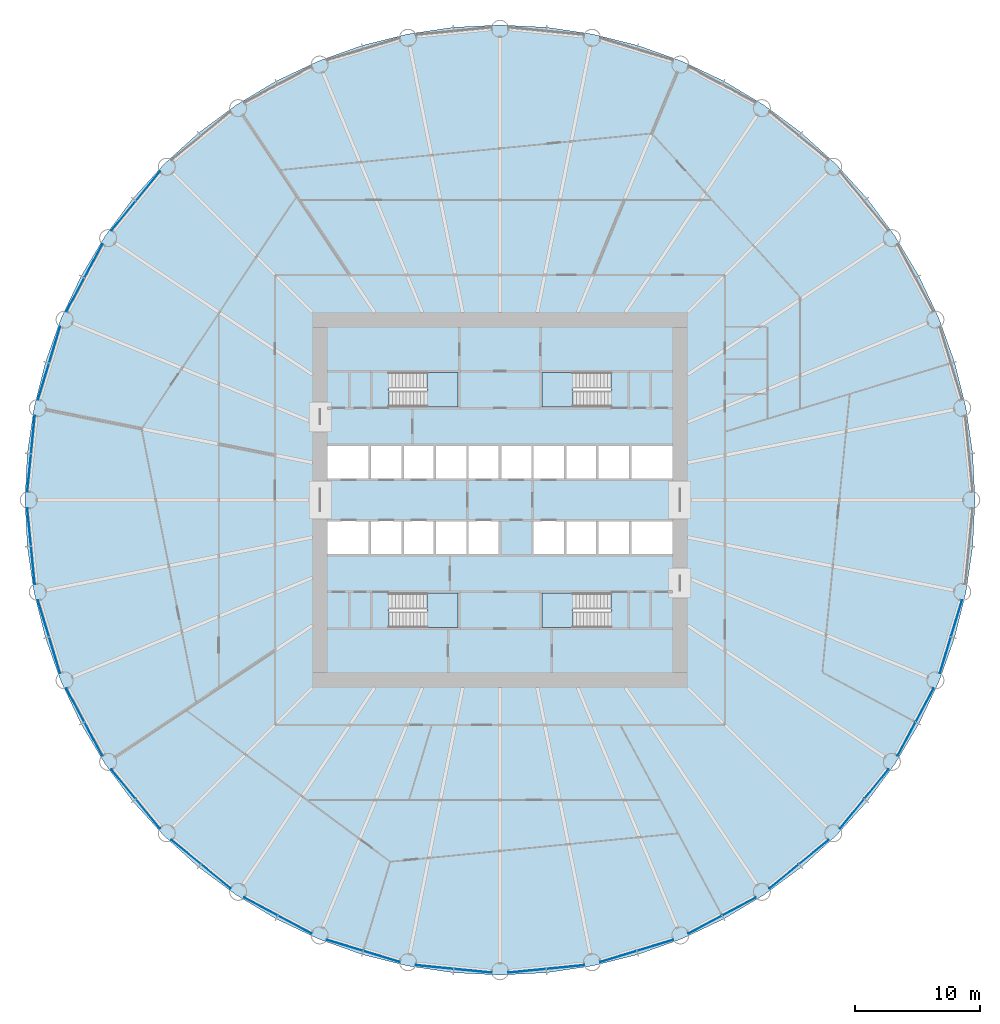
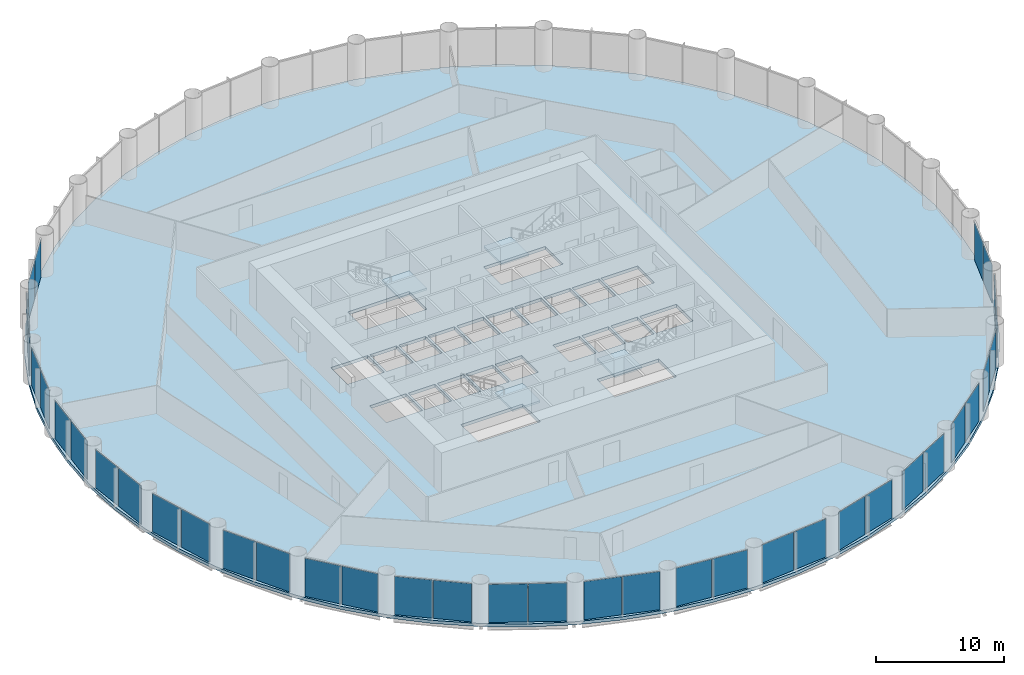
# One storey, part 8 of 14: 38 plates, 5 slabs, 23 elements without a shape of their own.
"""IFC4 building model written with IfcOpenShell, lengths in metres."""

import ifcopenshell
import ifcopenshell.guid

model = None  # the IFC model being written
_history = None  # IfcOwnerHistory: only IFC2X3 demands one
_inside = {}  # id of a spatial element -> (the spatial element, [elements in it])
_under = {}  # id of a project, library or spatial element -> (it, [spatial elements below it])
_declared = {}  # id of a project -> (the project, [libraries it declares])
_typed = {}  # id of a type object -> (the type object, [elements of that type])
_made_of = {}  # id of a material, layer set ... -> (it, [elements and type objects made of it])


def new_model(schema):
    """Start an empty IFC model of exactly this schema.

    Asked for "IFC4X3", IfcOpenShell would pick the latest addendum, in which some entities
    have other attributes; the version numbers below select the first issue.
    IFC2X3 requires an IfcOwnerHistory on every rooted entity: one is made here for all.
    """
    global model, _history
    if schema == "IFC4X3":
        model = ifcopenshell.file(schema_version=(4, 3, 0, 0))
    else:
        model = ifcopenshell.file(schema=schema)
    _inside.clear()
    _under.clear()
    _declared.clear()
    _typed.clear()
    _made_of.clear()
    _history = None
    if model.schema == "IFC2X3":
        org = make("IfcOrganization", Name="unknown")
        user = make(
            "IfcPersonAndOrganization",
            ThePerson=make("IfcPerson", FamilyName="unknown"),
            TheOrganization=org,
        )
        app = make(
            "IfcApplication",
            ApplicationDeveloper=org,
            Version="unknown",
            ApplicationFullName="unknown",
            ApplicationIdentifier="unknown",
        )
        _history = make(
            "IfcOwnerHistory",
            OwningUser=user,
            OwningApplication=app,
            ChangeAction="ADDED",
            CreationDate=0,
        )
    return model


def make(cls, **values):
    """One entity of the class cls with the attributes given. An attribute that is None is left unset."""
    return model.create_entity(
        cls, **{name: value for name, value in values.items() if value is not None}
    )


def rooted(cls, **values):
    """An entity with a GlobalId (a new one), such as an element, a storey or a relation."""
    return make(cls, GlobalId=ifcopenshell.guid.new(), OwnerHistory=_history, **values)


def si_unit(unit_type, name, prefix=None):
    """IfcSIUnit, for example si_unit("LENGTHUNIT", "METRE", prefix="MILLI")."""
    return make("IfcSIUnit", UnitType=unit_type, Prefix=prefix, Name=name)


def assignment(units):
    """IfcUnitAssignment: the units of a project."""
    return None if units is None else make("IfcUnitAssignment", Units=units)


def point(xyz):
    """IfcCartesianPoint."""
    return None if xyz is None else make("IfcCartesianPoint", Coordinates=xyz)


def direction(xyz):
    """IfcDirection."""
    return None if xyz is None else make("IfcDirection", DirectionRatios=xyz)


def frame(location, z_axis=None, x_axis=None):
    """IfcAxis2Placement3D, a coordinate frame: its origin and axes. An axis left out is left unset."""
    return make(
        "IfcAxis2Placement3D",
        Location=point(location),
        Axis=direction(z_axis),
        RefDirection=direction(x_axis),
    )


def frame_2d(location, x_axis=None):
    """IfcAxis2Placement2D, a coordinate frame in the plane: its origin and x axis."""
    return make(
        "IfcAxis2Placement2D", Location=point(location), RefDirection=direction(x_axis)
    )


def origin():
    """The frame at (0, 0, 0) with its axes left unset."""
    return frame((0.0, 0.0, 0.0))


def origin_2d():
    """The frame at (0, 0) in the plane with its x axis left unset."""
    return frame_2d((0.0, 0.0))


def place(relative_to, where):
    """IfcLocalPlacement: puts the frame where relative to a parent placement (None: the world)."""
    return make(
        "IfcLocalPlacement", PlacementRelTo=relative_to, RelativePlacement=where
    )


def context(
    kind, dimensions, precision=None, world=None, true_north=None, identifier=None
):
    """IfcGeometricRepresentationContext, for example the 3D "Model" context."""
    return make(
        "IfcGeometricRepresentationContext",
        ContextIdentifier=identifier,
        ContextType=kind,
        CoordinateSpaceDimension=dimensions,
        Precision=precision,
        WorldCoordinateSystem=world,
        TrueNorth=true_north,
    )


def subcontext(parent, identifier, kind, view, scale=None):
    """IfcGeometricRepresentationSubContext, for example "Body" below "Model"."""
    return make(
        "IfcGeometricRepresentationSubContext",
        ContextIdentifier=identifier,
        ContextType=kind,
        ParentContext=parent,
        TargetScale=scale,
        TargetView=view,
    )


def project(units=None, contexts=None):
    """IfcProject with its units and contexts."""
    return rooted(
        "IfcProject",
        Name="project",
        RepresentationContexts=contexts,
        UnitsInContext=assignment(units),
    )


def spatial(cls, under=None, at=None, **own):
    """A site, building, storey or space (cls), placed at a placement, below another one or the project."""
    s = rooted(cls, ObjectPlacement=at, **own)
    if under is not None:
        _under.setdefault(under.id(), (under, []))[1].append(s)
    return s


def polyline(points):
    """IfcPolyline through the points."""
    return make("IfcPolyline", Points=[point(p) for p in points])


def profile(cls, at=None, kind="AREA", **sizes):
    """A parametric profile (cls). Its sizes go by their IFC names, for example OverallWidth=200.0."""
    return make(cls, ProfileType=kind, Position=at, **sizes)


def rectangle(**sizes):
    """IfcRectangleProfileDef."""
    return profile("IfcRectangleProfileDef", **sizes)


def outline(outer, holes=None, kind="AREA"):
    """IfcArbitraryClosedProfileDef: a profile drawn as a closed curve; with holes, ...WithVoids."""
    if holes is None:
        return make("IfcArbitraryClosedProfileDef", ProfileType=kind, OuterCurve=outer)
    return make(
        "IfcArbitraryProfileDefWithVoids",
        ProfileType=kind,
        OuterCurve=outer,
        InnerCurves=holes,
    )


def extrude(swept, where, along, depth):
    """IfcExtrudedAreaSolid: the profile swept, set in the frame where, extruded along a direction by depth."""
    return make(
        "IfcExtrudedAreaSolid",
        SweptArea=swept,
        Position=where,
        ExtrudedDirection=direction(along),
        Depth=depth,
    )


def shape(context_of_items, identifier, shape_type, items):
    """IfcShapeRepresentation: the items that make up one representation, for example the "Body"."""
    return make(
        "IfcShapeRepresentation",
        ContextOfItems=context_of_items,
        RepresentationIdentifier=identifier,
        RepresentationType=shape_type,
        Items=items,
    )


def material(Name=None, Category=None):
    """IfcMaterial."""
    return make("IfcMaterial", Name=Name, Category=Category)


def layer(
    of_material, thickness, ventilated=None, Name=None, Category=None, Priority=None
):
    """IfcMaterialLayer: one layer of a wall or slab, of a material (None: an air gap)."""
    return make(
        "IfcMaterialLayer",
        Material=of_material,
        LayerThickness=thickness,
        IsVentilated=ventilated,
        Name=Name,
        Category=Category,
        Priority=Priority,
    )


def layer_set(layers, Name=None):
    """IfcMaterialLayerSet."""
    return make("IfcMaterialLayerSet", MaterialLayers=layers, LayerSetName=Name)


def made_of(thing, what):
    """Note that an element or type object is made of a material, layer set ...; save() writes the relation."""
    if what is not None:
        _made_of.setdefault(what.id(), (what, []))[1].append(thing)
    return thing


def type_object(cls, material=None, **own):
    """A type object (cls), such as IfcWallType, which elements share."""
    return made_of(rooted(cls, **own), material)


def element(
    cls,
    number,
    at=None,
    inside=None,
    cuts=None,
    type_object=None,
    material=None,
    context=None,
    identifier="Body",
    shape_type=None,
    held_by="IfcProductDefinitionShape",
    body=None,
    shapes=None,
    **own,
):
    """One element of the class cls, such as IfcWall. Its Tag is "e" and its number.

    at: its placement. inside: the storey or other place that contains it. cuts: it is an
    opening in that element (IfcRelVoidsElement). A single representation is given by context,
    identifier, shape_type and body (its items); several are given by shapes. held_by: the class
    of the entity that holds the representations. save() writes the other relations.
    """
    e = rooted(cls, Tag="e%d" % number, ObjectPlacement=at, **own)
    if body is not None:
        shapes = [shape(context, identifier, shape_type, body)]
    if shapes is not None:
        e.Representation = make(held_by, Representations=shapes)
    if inside is not None:
        _inside.setdefault(inside.id(), (inside, []))[1].append(e)
    if cuts is not None:
        rooted(
            "IfcRelVoidsElement", RelatingBuildingElement=cuts, RelatedOpeningElement=e
        )
    if type_object is not None:
        _typed.setdefault(type_object.id(), (type_object, []))[1].append(e)
    return made_of(e, material)


def aggregate(whole, parts):
    """IfcRelAggregates: a whole, such as a stair, and the parts it consists of."""
    return rooted("IfcRelAggregates", RelatingObject=whole, RelatedObjects=parts)


def save(model, path):
    """Write the relations noted so far, then the file.

    IfcRelAggregates (storeys below a building ...), IfcRelContainedInSpatialStructure (elements
    in a storey), IfcRelDefinesByType, IfcRelAssociatesMaterial and IfcRelDeclares: one each for
    every whole, place, type object, material and project.
    """
    for whole, parts in _under.values():
        aggregate(whole, parts)
    for where, things in _inside.values():
        rooted(
            "IfcRelContainedInSpatialStructure",
            RelatedElements=things,
            RelatingStructure=where,
        )
    for kind, things in _typed.values():
        rooted("IfcRelDefinesByType", RelatedObjects=things, RelatingType=kind)
    for what, things in _made_of.values():
        rooted("IfcRelAssociatesMaterial", RelatedObjects=things, RelatingMaterial=what)
    for by, libraries in _declared.values():
        rooted("IfcRelDeclares", RelatingContext=by, RelatedDefinitions=libraries)
    model.write(path)


model = new_model("IFC4")

# Units and contexts
model_context = context("Model", 3, precision=1e-05, world=origin(), true_north=direction((0.0, 1.0)))
body_context = subcontext(model_context, "Body", "Model", "MODEL_VIEW")
ifc_project = project(units=[si_unit("LENGTHUNIT", "METRE"), si_unit("AREAUNIT", "SQUARE_METRE"), si_unit("VOLUMEUNIT", "CUBIC_METRE"), si_unit("PLANEANGLEUNIT", "RADIAN"), si_unit("MASSUNIT", "GRAM", prefix="KILO")], contexts=[model_context])

# Site, building, storey
site_placement = place(None, origin())
site = spatial("IfcSite", under=ifc_project, at=site_placement, CompositionType="ELEMENT")
building_placement = place(site_placement, origin())
building = spatial("IfcBuilding", under=site, at=building_placement, Name="Corvane Civic Tower", CompositionType="ELEMENT")
storey_placement = place(building_placement, frame((0.0, 0.0, 49.0)))
storey = spatial("IfcBuildingStorey", under=building, at=storey_placement, Name="L10", CompositionType="ELEMENT", Elevation=49.0)

# Slab
ifc_material_1 = material(Name="Concrete C40/50", Category="concrete")
ifc_layer_1 = layer(ifc_material_1, 0.300048828125)
ifc_layer_set_1 = layer_set([ifc_layer_1], Name="Concrete C40/50")
slab_type_1 = type_object("IfcSlabType", Name="FLOOR SLAB 300", PredefinedType="FLOOR", material=ifc_layer_set_1)
slab_1_placement = place(storey_placement, frame((0.0, 0.0, -0.300048828125)))
element("IfcSlab", 1, at=slab_1_placement, inside=storey, type_object=slab_type_1, Name="SLB-L10", PredefinedType="FLOOR", context=body_context, shape_type="SweptSolid", body=[
    extrude(outline(polyline([(0.0, 38.0), (-3.724609375, 37.817138671875), (-7.413330078125, 37.269775390625), (-11.03076171875, 36.36376953125), (-14.5419921875, 35.107421875), (-17.9130859375, 33.512939453125), (-21.111572265625, 31.595947265625), (-24.10693359375, 29.37451171875), (-26.8701171875, 26.8701171875), (-29.37451171875, 24.10693359375), (-31.595947265625, 21.111572265625), (-33.512939453125, 17.9130859375), (-35.107421875, 14.5419921875), (-36.36376953125, 11.03076171875), (-37.269775390625, 7.413330078125), (-37.817138671875, 3.724609375), (-38.0, 0.0), (-37.817138671875, -3.724609375), (-37.269775390625, -7.413330078125), (-36.36376953125, -11.03076171875), (-35.107421875, -14.5419921875), (-33.512939453125, -17.9130859375), (-31.595947265625, -21.111572265625), (-29.37451171875, -24.10693359375), (-26.8701171875, -26.8701171875), (-24.10693359375, -29.37451171875), (-21.111572265625, -31.595947265625), (-17.9130859375, -33.512939453125), (-14.5419921875, -35.107421875), (-11.03076171875, -36.36376953125), (-7.413330078125, -37.269775390625), (-3.724609375, -37.817138671875), (0.0, -38.0), (3.724609375, -37.817138671875), (7.413330078125, -37.269775390625), (11.03076171875, -36.36376953125), (14.5419921875, -35.107421875), (17.9130859375, -33.512939453125), (21.111572265625, -31.595947265625), (24.10693359375, -29.37451171875), (26.8701171875, -26.8701171875), (29.37451171875, -24.10693359375), (31.595947265625, -21.111572265625), (33.512939453125, -17.9130859375), (35.107421875, -14.5419921875), (36.36376953125, -11.03076171875), (37.269775390625, -7.413330078125), (37.817138671875, -3.724609375), (38.0, 0.0), (37.817138671875, 3.724609375), (37.269775390625, 7.413330078125), (36.36376953125, 11.03076171875), (35.107421875, 14.5419921875), (33.512939453125, 17.9130859375), (31.595947265625, 21.111572265625), (29.37451171875, 24.10693359375), (26.8701171875, 26.8701171875), (24.10693359375, 29.37451171875), (21.111572265625, 31.595947265625), (17.9130859375, 33.512939453125), (14.5419921875, 35.107421875), (11.03076171875, 36.36376953125), (7.413330078125, 37.269775390625), (3.724609375, 37.817138671875), (0.0, 38.0)]), holes=[polyline([(-13.800048828125, 4.300048828125), (-10.5, 4.300048828125), (-10.5, 1.699951171875), (-13.800048828125, 1.699951171875), (-13.800048828125, 4.300048828125)]), polyline([(-7.89990234375, 1.699951171875), (-10.300048828125, 1.699951171875), (-10.300048828125, 4.300048828125), (-7.89990234375, 4.300048828125), (-7.89990234375, 1.699951171875)]), polyline([(-7.699951171875, 4.300048828125), (-5.300048828125, 4.300048828125), (-5.300048828125, 1.699951171875), (-7.699951171875, 1.699951171875), (-7.699951171875, 4.300048828125)]), polyline([(-5.10009765625, 4.300048828125), (-2.699951171875, 4.300048828125), (-2.699951171875, 1.699951171875), (-5.10009765625, 1.699951171875), (-5.10009765625, 4.300048828125)]), polyline([(-0.10009765625, 1.699951171875), (-2.5, 1.699951171875), (-2.5, 4.300048828125), (-0.10009765625, 4.300048828125), (-0.10009765625, 1.699951171875)]), polyline([(2.5, 1.699951171875), (0.10009765625, 1.699951171875), (0.10009765625, 4.300048828125), (2.5, 4.300048828125), (2.5, 1.699951171875)]), polyline([(2.699951171875, 4.300048828125), (5.10009765625, 4.300048828125), (5.10009765625, 1.699951171875), (2.699951171875, 1.699951171875), (2.699951171875, 4.300048828125)]), polyline([(5.300048828125, 4.300048828125), (7.699951171875, 4.300048828125), (7.699951171875, 1.699951171875), (5.300048828125, 1.699951171875), (5.300048828125, 4.300048828125)]), polyline([(7.89990234375, 4.300048828125), (10.300048828125, 4.300048828125), (10.300048828125, 1.699951171875), (7.89990234375, 1.699951171875), (7.89990234375, 4.300048828125)]), polyline([(13.800048828125, 1.699951171875), (10.5, 1.699951171875), (10.5, 4.300048828125), (13.800048828125, 4.300048828125), (13.800048828125, 1.699951171875)]), polyline([(-13.800048828125, -1.699951171875), (-10.5, -1.699951171875), (-10.5, -4.300048828125), (-13.800048828125, -4.300048828125), (-13.800048828125, -1.699951171875)]), polyline([(-7.89990234375, -1.699951171875), (-7.89990234375, -4.300048828125), (-10.300048828125, -4.300048828125), (-10.300048828125, -1.699951171875), (-7.89990234375, -1.699951171875)]), polyline([(-5.300048828125, -1.699951171875), (-5.300048828125, -4.300048828125), (-7.699951171875, -4.300048828125), (-7.699951171875, -1.699951171875), (-5.300048828125, -1.699951171875)]), polyline([(-5.10009765625, -4.300048828125), (-5.10009765625, -1.699951171875), (-2.699951171875, -1.699951171875), (-2.699951171875, -4.300048828125), (-5.10009765625, -4.300048828125)]), polyline([(-0.10009765625, -1.699951171875), (-0.10009765625, -4.300048828125), (-2.5, -4.300048828125), (-2.5, -1.699951171875), (-0.10009765625, -1.699951171875)]), polyline([(5.10009765625, -1.699951171875), (5.10009765625, -4.300048828125), (2.699951171875, -4.300048828125), (2.699951171875, -1.699951171875), (5.10009765625, -1.699951171875)]), polyline([(7.699951171875, -1.699951171875), (7.699951171875, -4.300048828125), (5.300048828125, -4.300048828125), (5.300048828125, -1.699951171875), (7.699951171875, -1.699951171875)]), polyline([(10.300048828125, -1.699951171875), (10.300048828125, -4.300048828125), (7.89990234375, -4.300048828125), (7.89990234375, -1.699951171875), (10.300048828125, -1.699951171875)]), polyline([(13.800048828125, -4.300048828125), (10.5, -4.300048828125), (10.5, -1.699951171875), (13.800048828125, -1.699951171875), (13.800048828125, -4.300048828125)]), polyline([(8.889892578125, 10.199951171875), (8.889892578125, 7.449951171875), (3.35009765625, 7.449951171875), (3.35009765625, 10.199951171875), (8.889892578125, 10.199951171875)]), polyline([(-8.889892578125, 7.449951171875), (-8.889892578125, 10.199951171875), (-3.35009765625, 10.199951171875), (-3.35009765625, 7.449951171875), (-8.889892578125, 7.449951171875)]), polyline([(8.889892578125, -7.449951171875), (8.889892578125, -10.199951171875), (3.35009765625, -10.199951171875), (3.35009765625, -7.449951171875), (8.889892578125, -7.449951171875)]), polyline([(-8.889892578125, -10.199951171875), (-8.889892578125, -7.449951171875), (-3.35009765625, -7.449951171875), (-3.35009765625, -10.199951171875), (-8.889892578125, -10.199951171875)])]), origin(), (0.0, 0.0, 1.0), 0.300048828125),
])

# Stair, slab
ifc_material_2 = material(Name="Concrete C40/50", Category="concrete")
stair_type = type_object("IfcStairType", Name="ST-STAIR-HALFTURN", PredefinedType="HALF_TURN_STAIR", material=ifc_material_2)
stair_1_placement = place(storey_placement, origin())
stair_1 = element("IfcStair", 2, at=stair_1_placement, inside=storey, type_object=stair_type, Name="L10 Exit stair ST1", PredefinedType="HALF_TURN_STAIR")
ifc_material_3 = material(Name="Concrete C40/50", Category="concrete")
ifc_layer_2 = layer(ifc_material_3, 0.199951171875)
ifc_layer_set_2 = layer_set([ifc_layer_2], Name="Concrete C40/50")
slab_type_2 = type_object("IfcSlabType", Name="ST-LANDING-RC", PredefinedType="LANDING", material=ifc_layer_set_2)
slab_2_placement = place(storey_placement, frame((0.0, 0.0, 1.800048828125)))
slab_2 = element("IfcSlab", 3, at=slab_2_placement, type_object=slab_type_2, Name="ST1 landing 1", PredefinedType="LANDING", context=body_context, shape_type="SweptSolid", body=[
    extrude(outline(polyline([(5.820068359375, 10.199951171875), (3.35009765625, 10.199951171875), (3.35009765625, 7.449951171875), (5.820068359375, 7.449951171875), (5.820068359375, 10.199951171875)])), origin(), (0.0, 0.0, 1.0), 0.199951171875),
])
aggregate(stair_1, [slab_2])

stair_2_placement = place(storey_placement, origin())
stair_2 = element("IfcStair", 4, at=stair_2_placement, inside=storey, type_object=stair_type, Name="L10 Exit stair ST2", PredefinedType="HALF_TURN_STAIR")
slab_3_placement = place(storey_placement, frame((0.0, 0.0, 1.800048828125)))
slab_3 = element("IfcSlab", 5, at=slab_3_placement, type_object=slab_type_2, Name="ST2 landing 1", PredefinedType="LANDING", context=body_context, shape_type="SweptSolid", body=[
    extrude(outline(polyline([(5.820068359375, -7.449951171875), (3.35009765625, -7.449951171875), (3.35009765625, -10.199951171875), (5.820068359375, -10.199951171875), (5.820068359375, -7.449951171875)])), origin(), (0.0, 0.0, 1.0), 0.199951171875),
])
aggregate(stair_2, [slab_3])

stair_3_placement = place(storey_placement, origin())
stair_3 = element("IfcStair", 6, at=stair_3_placement, inside=storey, type_object=stair_type, Name="L10 Exit stair ST3", PredefinedType="HALF_TURN_STAIR")
slab_4_placement = place(storey_placement, frame((0.0, 0.0, 1.800048828125)))
slab_4 = element("IfcSlab", 7, at=slab_4_placement, type_object=slab_type_2, Name="ST3 landing 1", PredefinedType="LANDING", context=body_context, shape_type="SweptSolid", body=[
    extrude(outline(polyline([(-5.820068359375, -10.199951171875), (-3.35009765625, -10.199951171875), (-3.35009765625, -7.449951171875), (-5.820068359375, -7.449951171875), (-5.820068359375, -10.199951171875)])), origin(), (0.0, 0.0, 1.0), 0.199951171875),
])
aggregate(stair_3, [slab_4])

stair_4_placement = place(storey_placement, origin())
stair_4 = element("IfcStair", 8, at=stair_4_placement, inside=storey, type_object=stair_type, Name="L10 Exit stair ST4", PredefinedType="HALF_TURN_STAIR")
slab_5_placement = place(storey_placement, frame((0.0, 0.0, 1.800048828125)))
slab_5 = element("IfcSlab", 9, at=slab_5_placement, type_object=slab_type_2, Name="ST4 landing 1", PredefinedType="LANDING", context=body_context, shape_type="SweptSolid", body=[
    extrude(outline(polyline([(-5.820068359375, 7.449951171875), (-3.35009765625, 7.449951171875), (-3.35009765625, 10.199951171875), (-5.820068359375, 10.199951171875), (-5.820068359375, 7.449951171875)])), origin(), (0.0, 0.0, 1.0), 0.199951171875),
])
aggregate(stair_4, [slab_5])

# Curtain wall, plates
ifc_material_4 = material(Name="Anodised aluminium bronze", Category="aluminium")
curtain_wall_type = type_object("IfcCurtainWallType", Name="TOWER CW-T1 STICK CURTAIN WALL", PredefinedType="NOTDEFINED", material=ifc_material_4)
curtain_wall_1_placement = place(storey_placement, origin())
curtain_wall_1 = element("IfcCurtainWall", 10, at=curtain_wall_1_placement, inside=storey, type_object=curtain_wall_type, Name="Curtain wall CW-T1 L10 bay 10", PredefinedType="NOTDEFINED")
ifc_material_5 = material(Name="Tinted glass", Category="glass")
ifc_layer_3 = layer(ifc_material_5, 0.035888671875)
ifc_layer_set_3 = layer_set([ifc_layer_3], Name="Tinted glass")
plate_type = type_object("IfcPlateType", Name="TOWER CW-T1 PANEL IGU36", PredefinedType="CURTAIN_PANEL", material=ifc_layer_set_3)
plate_1_placement = place(storey_placement, frame((36.522705078125, -9.46533203125, 0.0), z_axis=(0.0, 0.0, 1.0), x_axis=(-0.290278397654, -0.956942240606, 0.0)))
plate_1 = element("IfcPlate", 11, at=plate_1_placement, type_object=plate_type, Name="Glass panel CW-T1 L10 10.1", PredefinedType="CURTAIN_PANEL", context=body_context, shape_type="SweptSolid", body=[
    extrude(rectangle(XDim=3.008544921875, YDim=0.035888671875, at=origin_2d()), origin(), (0.0, 0.0, 1.0), 3.6298828125),
])
plate_2_placement = place(storey_placement, frame((35.6259765625, -12.4208984375, 0.0), z_axis=(0.0, 0.0, 1.0), x_axis=(-0.290278397654, -0.956942240606, 0.0)))
plate_2 = element("IfcPlate", 12, at=plate_2_placement, type_object=plate_type, Name="Glass panel CW-T1 L10 10.2", PredefinedType="CURTAIN_PANEL", context=body_context, shape_type="SweptSolid", body=[
    extrude(rectangle(XDim=3.008544921875, YDim=0.035888671875, at=origin_2d()), origin(), (0.0, 0.0, 1.0), 3.6298828125),
])
aggregate(curtain_wall_1, [plate_1, plate_2])

curtain_wall_2_placement = place(storey_placement, origin())
curtain_wall_2 = element("IfcCurtainWall", 13, at=curtain_wall_2_placement, inside=storey, type_object=curtain_wall_type, Name="Curtain wall CW-T1 L10 bay 11", PredefinedType="NOTDEFINED")
plate_3_placement = place(storey_placement, frame((33.974365234375, -16.40869140625, 0.0), z_axis=(0.0, 0.0, 1.0), x_axis=(-0.471403725359, -0.881917528864, 0.0)))
plate_3 = element("IfcPlate", 14, at=plate_3_placement, type_object=plate_type, Name="Glass panel CW-T1 L10 11.1", PredefinedType="CURTAIN_PANEL", context=body_context, shape_type="SweptSolid", body=[
    extrude(rectangle(XDim=3.008544921875, YDim=0.035888671875, at=origin_2d()), origin(), (0.0, 0.0, 1.0), 3.6298828125),
])
plate_4_placement = place(storey_placement, frame((32.518310546875, -19.132568359375, 0.0), z_axis=(0.0, 0.0, 1.0), x_axis=(-0.471403725359, -0.881917528864, 0.0)))
plate_4 = element("IfcPlate", 15, at=plate_4_placement, type_object=plate_type, Name="Glass panel CW-T1 L10 11.2", PredefinedType="CURTAIN_PANEL", context=body_context, shape_type="SweptSolid", body=[
    extrude(rectangle(XDim=3.008544921875, YDim=0.035888671875, at=origin_2d()), origin(), (0.0, 0.0, 1.0), 3.6298828125),
])
aggregate(curtain_wall_2, [plate_3, plate_4])

curtain_wall_3_placement = place(storey_placement, origin())
curtain_wall_3 = element("IfcCurtainWall", 16, at=curtain_wall_3_placement, inside=storey, type_object=curtain_wall_type, Name="Curtain wall CW-T1 L10 bay 12", PredefinedType="NOTDEFINED")
plate_5_placement = place(storey_placement, frame((30.120361328125, -22.721435546875, 0.0), z_axis=(0.0, 0.0, 1.0), x_axis=(-0.634397218569, -0.773007224463, 0.0)))
plate_5 = element("IfcPlate", 17, at=plate_5_placement, type_object=plate_type, Name="Glass panel CW-T1 L10 12.1", PredefinedType="CURTAIN_PANEL", context=body_context, shape_type="SweptSolid", body=[
    extrude(rectangle(XDim=3.008544921875, YDim=0.035888671875, at=origin_2d()), origin(), (0.0, 0.0, 1.0), 3.6298828125),
])
plate_6_placement = place(storey_placement, frame((28.160888671875, -25.10888671875, 0.0), z_axis=(0.0, 0.0, 1.0), x_axis=(-0.634397218569, -0.773007224463, 0.0)))
plate_6 = element("IfcPlate", 18, at=plate_6_placement, type_object=plate_type, Name="Glass panel CW-T1 L10 12.2", PredefinedType="CURTAIN_PANEL", context=body_context, shape_type="SweptSolid", body=[
    extrude(rectangle(XDim=3.008544921875, YDim=0.035888671875, at=origin_2d()), origin(), (0.0, 0.0, 1.0), 3.6298828125),
])
aggregate(curtain_wall_3, [plate_5, plate_6])

curtain_wall_4_placement = place(storey_placement, origin())
curtain_wall_4 = element("IfcCurtainWall", 19, at=curtain_wall_4_placement, inside=storey, type_object=curtain_wall_type, Name="Curtain wall CW-T1 L10 bay 13", PredefinedType="NOTDEFINED")
plate_7_placement = place(storey_placement, frame((25.10888671875, -28.160888671875, 0.0), z_axis=(0.0, 0.0, 1.0), x_axis=(-0.773007224463, -0.634397218569, 0.0)))
plate_7 = element("IfcPlate", 20, at=plate_7_placement, type_object=plate_type, Name="Glass panel CW-T1 L10 13.1", PredefinedType="CURTAIN_PANEL", context=body_context, shape_type="SweptSolid", body=[
    extrude(rectangle(XDim=3.008544921875, YDim=0.035888671875, at=origin_2d()), origin(), (0.0, 0.0, 1.0), 3.6298828125),
])
plate_8_placement = place(storey_placement, frame((22.721435546875, -30.120361328125, 0.0), z_axis=(0.0, 0.0, 1.0), x_axis=(-0.773007224463, -0.634397218569, 0.0)))
plate_8 = element("IfcPlate", 21, at=plate_8_placement, type_object=plate_type, Name="Glass panel CW-T1 L10 13.2", PredefinedType="CURTAIN_PANEL", context=body_context, shape_type="SweptSolid", body=[
    extrude(rectangle(XDim=3.008544921875, YDim=0.035888671875, at=origin_2d()), origin(), (0.0, 0.0, 1.0), 3.6298828125),
])
aggregate(curtain_wall_4, [plate_7, plate_8])

curtain_wall_5_placement = place(storey_placement, origin())
curtain_wall_5 = element("IfcCurtainWall", 22, at=curtain_wall_5_placement, inside=storey, type_object=curtain_wall_type, Name="Curtain wall CW-T1 L10 bay 14", PredefinedType="NOTDEFINED")
plate_9_placement = place(storey_placement, frame((19.132568359375, -32.518310546875, 0.0), z_axis=(0.0, 0.0, 1.0), x_axis=(-0.881917528864, -0.471403725359, 0.0)))
plate_9 = element("IfcPlate", 23, at=plate_9_placement, type_object=plate_type, Name="Glass panel CW-T1 L10 14.1", PredefinedType="CURTAIN_PANEL", context=body_context, shape_type="SweptSolid", body=[
    extrude(rectangle(XDim=3.008544921875, YDim=0.035888671875, at=origin_2d()), origin(), (0.0, 0.0, 1.0), 3.6298828125),
])
plate_10_placement = place(storey_placement, frame((16.40869140625, -33.974365234375, 0.0), z_axis=(0.0, 0.0, 1.0), x_axis=(-0.881917528864, -0.471403725359, 0.0)))
plate_10 = element("IfcPlate", 24, at=plate_10_placement, type_object=plate_type, Name="Glass panel CW-T1 L10 14.2", PredefinedType="CURTAIN_PANEL", context=body_context, shape_type="SweptSolid", body=[
    extrude(rectangle(XDim=3.008544921875, YDim=0.035888671875, at=origin_2d()), origin(), (0.0, 0.0, 1.0), 3.6298828125),
])
aggregate(curtain_wall_5, [plate_9, plate_10])

curtain_wall_6_placement = place(storey_placement, origin())
curtain_wall_6 = element("IfcCurtainWall", 25, at=curtain_wall_6_placement, inside=storey, type_object=curtain_wall_type, Name="Curtain wall CW-T1 L10 bay 15", PredefinedType="NOTDEFINED")
plate_11_placement = place(storey_placement, frame((12.4208984375, -35.6259765625, 0.0), z_axis=(0.0, 0.0, 1.0), x_axis=(-0.956942240606, -0.290278397654, 0.0)))
plate_11 = element("IfcPlate", 26, at=plate_11_placement, type_object=plate_type, Name="Glass panel CW-T1 L10 15.1", PredefinedType="CURTAIN_PANEL", context=body_context, shape_type="SweptSolid", body=[
    extrude(rectangle(XDim=3.008544921875, YDim=0.035888671875, at=origin_2d()), origin(), (0.0, 0.0, 1.0), 3.6298828125),
])
plate_12_placement = place(storey_placement, frame((9.46533203125, -36.522705078125, 0.0), z_axis=(0.0, 0.0, 1.0), x_axis=(-0.956942240606, -0.290278397654, 0.0)))
plate_12 = element("IfcPlate", 27, at=plate_12_placement, type_object=plate_type, Name="Glass panel CW-T1 L10 15.2", PredefinedType="CURTAIN_PANEL", context=body_context, shape_type="SweptSolid", body=[
    extrude(rectangle(XDim=3.008544921875, YDim=0.035888671875, at=origin_2d()), origin(), (0.0, 0.0, 1.0), 3.6298828125),
])
aggregate(curtain_wall_6, [plate_11, plate_12])

curtain_wall_7_placement = place(storey_placement, origin())
curtain_wall_7 = element("IfcCurtainWall", 28, at=curtain_wall_7_placement, inside=storey, type_object=curtain_wall_type, Name="Curtain wall CW-T1 L10 bay 16", PredefinedType="NOTDEFINED")
plate_13_placement = place(storey_placement, frame((5.23193359375, -37.36474609375, 0.0), z_axis=(0.0, 0.0, 1.0), x_axis=(-0.995185800248, -0.098006239521, 0.0)))
plate_13 = element("IfcPlate", 29, at=plate_13_placement, type_object=plate_type, Name="Glass panel CW-T1 L10 16.1", PredefinedType="CURTAIN_PANEL", context=body_context, shape_type="SweptSolid", body=[
    extrude(rectangle(XDim=3.008544921875, YDim=0.035888671875, at=origin_2d()), origin(), (0.0, 0.0, 1.0), 3.6298828125),
])
plate_14_placement = place(storey_placement, frame((2.158203125, -37.667236328125, 0.0), z_axis=(0.0, 0.0, 1.0), x_axis=(-0.995185800248, -0.098006239521, 0.0)))
plate_14 = element("IfcPlate", 30, at=plate_14_placement, type_object=plate_type, Name="Glass panel CW-T1 L10 16.2", PredefinedType="CURTAIN_PANEL", context=body_context, shape_type="SweptSolid", body=[
    extrude(rectangle(XDim=3.008544921875, YDim=0.035888671875, at=origin_2d()), origin(), (0.0, 0.0, 1.0), 3.6298828125),
])
aggregate(curtain_wall_7, [plate_13, plate_14])

curtain_wall_8_placement = place(storey_placement, origin())
curtain_wall_8 = element("IfcCurtainWall", 31, at=curtain_wall_8_placement, inside=storey, type_object=curtain_wall_type, Name="Curtain wall CW-T1 L10 bay 17", PredefinedType="NOTDEFINED")
plate_15_placement = place(storey_placement, frame((-2.158203125, -37.667236328125, 0.0), z_axis=(0.0, 0.0, 1.0), x_axis=(-0.995185800248, 0.098006239521, 0.0)))
plate_15 = element("IfcPlate", 32, at=plate_15_placement, type_object=plate_type, Name="Glass panel CW-T1 L10 17.1", PredefinedType="CURTAIN_PANEL", context=body_context, shape_type="SweptSolid", body=[
    extrude(rectangle(XDim=3.008544921875, YDim=0.035888671875, at=origin_2d()), origin(), (0.0, 0.0, 1.0), 3.6298828125),
])
plate_16_placement = place(storey_placement, frame((-5.23193359375, -37.36474609375, 0.0), z_axis=(0.0, 0.0, 1.0), x_axis=(-0.995185800248, 0.098006239521, 0.0)))
plate_16 = element("IfcPlate", 33, at=plate_16_placement, type_object=plate_type, Name="Glass panel CW-T1 L10 17.2", PredefinedType="CURTAIN_PANEL", context=body_context, shape_type="SweptSolid", body=[
    extrude(rectangle(XDim=3.008544921875, YDim=0.035888671875, at=origin_2d()), origin(), (0.0, 0.0, 1.0), 3.6298828125),
])
aggregate(curtain_wall_8, [plate_15, plate_16])

curtain_wall_9_placement = place(storey_placement, origin())
curtain_wall_9 = element("IfcCurtainWall", 34, at=curtain_wall_9_placement, inside=storey, type_object=curtain_wall_type, Name="Curtain wall CW-T1 L10 bay 18", PredefinedType="NOTDEFINED")
plate_17_placement = place(storey_placement, frame((-9.46533203125, -36.522705078125, 0.0), z_axis=(0.0, 0.0, 1.0), x_axis=(-0.956942240606, 0.290278397654, 0.0)))
plate_17 = element("IfcPlate", 35, at=plate_17_placement, type_object=plate_type, Name="Glass panel CW-T1 L10 18.1", PredefinedType="CURTAIN_PANEL", context=body_context, shape_type="SweptSolid", body=[
    extrude(rectangle(XDim=3.008544921875, YDim=0.035888671875, at=origin_2d()), origin(), (0.0, 0.0, 1.0), 3.6298828125),
])
plate_18_placement = place(storey_placement, frame((-12.4208984375, -35.6259765625, 0.0), z_axis=(0.0, 0.0, 1.0), x_axis=(-0.956942240606, 0.290278397654, 0.0)))
plate_18 = element("IfcPlate", 36, at=plate_18_placement, type_object=plate_type, Name="Glass panel CW-T1 L10 18.2", PredefinedType="CURTAIN_PANEL", context=body_context, shape_type="SweptSolid", body=[
    extrude(rectangle(XDim=3.008544921875, YDim=0.035888671875, at=origin_2d()), origin(), (0.0, 0.0, 1.0), 3.6298828125),
])
aggregate(curtain_wall_9, [plate_17, plate_18])

curtain_wall_10_placement = place(storey_placement, origin())
curtain_wall_10 = element("IfcCurtainWall", 37, at=curtain_wall_10_placement, inside=storey, type_object=curtain_wall_type, Name="Curtain wall CW-T1 L10 bay 19", PredefinedType="NOTDEFINED")
plate_19_placement = place(storey_placement, frame((-16.40869140625, -33.974365234375, 0.0), z_axis=(0.0, 0.0, 1.0), x_axis=(-0.881917528864, 0.471403725359, 0.0)))
plate_19 = element("IfcPlate", 38, at=plate_19_placement, type_object=plate_type, Name="Glass panel CW-T1 L10 19.1", PredefinedType="CURTAIN_PANEL", context=body_context, shape_type="SweptSolid", body=[
    extrude(rectangle(XDim=3.008544921875, YDim=0.035888671875, at=origin_2d()), origin(), (0.0, 0.0, 1.0), 3.6298828125),
])
plate_20_placement = place(storey_placement, frame((-19.132568359375, -32.518310546875, 0.0), z_axis=(0.0, 0.0, 1.0), x_axis=(-0.881917528864, 0.471403725359, 0.0)))
plate_20 = element("IfcPlate", 39, at=plate_20_placement, type_object=plate_type, Name="Glass panel CW-T1 L10 19.2", PredefinedType="CURTAIN_PANEL", context=body_context, shape_type="SweptSolid", body=[
    extrude(rectangle(XDim=3.008544921875, YDim=0.035888671875, at=origin_2d()), origin(), (0.0, 0.0, 1.0), 3.6298828125),
])
aggregate(curtain_wall_10, [plate_19, plate_20])

curtain_wall_11_placement = place(storey_placement, origin())
curtain_wall_11 = element("IfcCurtainWall", 40, at=curtain_wall_11_placement, inside=storey, type_object=curtain_wall_type, Name="Curtain wall CW-T1 L10 bay 20", PredefinedType="NOTDEFINED")
plate_21_placement = place(storey_placement, frame((-22.721435546875, -30.120361328125, 0.0), z_axis=(0.0, 0.0, 1.0), x_axis=(-0.773007224463, 0.634397218569, 0.0)))
plate_21 = element("IfcPlate", 41, at=plate_21_placement, type_object=plate_type, Name="Glass panel CW-T1 L10 20.1", PredefinedType="CURTAIN_PANEL", context=body_context, shape_type="SweptSolid", body=[
    extrude(rectangle(XDim=3.008544921875, YDim=0.035888671875, at=origin_2d()), origin(), (0.0, 0.0, 1.0), 3.6298828125),
])
plate_22_placement = place(storey_placement, frame((-25.10888671875, -28.160888671875, 0.0), z_axis=(0.0, 0.0, 1.0), x_axis=(-0.773007224463, 0.634397218569, 0.0)))
plate_22 = element("IfcPlate", 42, at=plate_22_placement, type_object=plate_type, Name="Glass panel CW-T1 L10 20.2", PredefinedType="CURTAIN_PANEL", context=body_context, shape_type="SweptSolid", body=[
    extrude(rectangle(XDim=3.008544921875, YDim=0.035888671875, at=origin_2d()), origin(), (0.0, 0.0, 1.0), 3.6298828125),
])
aggregate(curtain_wall_11, [plate_21, plate_22])

curtain_wall_12_placement = place(storey_placement, origin())
curtain_wall_12 = element("IfcCurtainWall", 43, at=curtain_wall_12_placement, inside=storey, type_object=curtain_wall_type, Name="Curtain wall CW-T1 L10 bay 21", PredefinedType="NOTDEFINED")
plate_23_placement = place(storey_placement, frame((-28.160888671875, -25.10888671875, 0.0), z_axis=(0.0, 0.0, 1.0), x_axis=(-0.634397218569, 0.773007224463, 0.0)))
plate_23 = element("IfcPlate", 44, at=plate_23_placement, type_object=plate_type, Name="Glass panel CW-T1 L10 21.1", PredefinedType="CURTAIN_PANEL", context=body_context, shape_type="SweptSolid", body=[
    extrude(rectangle(XDim=3.008544921875, YDim=0.035888671875, at=origin_2d()), origin(), (0.0, 0.0, 1.0), 3.6298828125),
])
plate_24_placement = place(storey_placement, frame((-30.120361328125, -22.721435546875, 0.0), z_axis=(0.0, 0.0, 1.0), x_axis=(-0.634397218569, 0.773007224463, 0.0)))
plate_24 = element("IfcPlate", 45, at=plate_24_placement, type_object=plate_type, Name="Glass panel CW-T1 L10 21.2", PredefinedType="CURTAIN_PANEL", context=body_context, shape_type="SweptSolid", body=[
    extrude(rectangle(XDim=3.008544921875, YDim=0.035888671875, at=origin_2d()), origin(), (0.0, 0.0, 1.0), 3.6298828125),
])
aggregate(curtain_wall_12, [plate_23, plate_24])

curtain_wall_13_placement = place(storey_placement, origin())
curtain_wall_13 = element("IfcCurtainWall", 46, at=curtain_wall_13_placement, inside=storey, type_object=curtain_wall_type, Name="Curtain wall CW-T1 L10 bay 22", PredefinedType="NOTDEFINED")
plate_25_placement = place(storey_placement, frame((-32.518310546875, -19.132568359375, 0.0), z_axis=(0.0, 0.0, 1.0), x_axis=(-0.471403725359, 0.881917528864, 0.0)))
plate_25 = element("IfcPlate", 47, at=plate_25_placement, type_object=plate_type, Name="Glass panel CW-T1 L10 22.1", PredefinedType="CURTAIN_PANEL", context=body_context, shape_type="SweptSolid", body=[
    extrude(rectangle(XDim=3.008544921875, YDim=0.035888671875, at=origin_2d()), origin(), (0.0, 0.0, 1.0), 3.6298828125),
])
plate_26_placement = place(storey_placement, frame((-33.974365234375, -16.40869140625, 0.0), z_axis=(0.0, 0.0, 1.0), x_axis=(-0.471403725359, 0.881917528864, 0.0)))
plate_26 = element("IfcPlate", 48, at=plate_26_placement, type_object=plate_type, Name="Glass panel CW-T1 L10 22.2", PredefinedType="CURTAIN_PANEL", context=body_context, shape_type="SweptSolid", body=[
    extrude(rectangle(XDim=3.008544921875, YDim=0.035888671875, at=origin_2d()), origin(), (0.0, 0.0, 1.0), 3.6298828125),
])
aggregate(curtain_wall_13, [plate_25, plate_26])

curtain_wall_14_placement = place(storey_placement, origin())
curtain_wall_14 = element("IfcCurtainWall", 49, at=curtain_wall_14_placement, inside=storey, type_object=curtain_wall_type, Name="Curtain wall CW-T1 L10 bay 23", PredefinedType="NOTDEFINED")
plate_27_placement = place(storey_placement, frame((-35.6259765625, -12.4208984375, 0.0), z_axis=(0.0, 0.0, 1.0), x_axis=(-0.290278397654, 0.956942240606, 0.0)))
plate_27 = element("IfcPlate", 50, at=plate_27_placement, type_object=plate_type, Name="Glass panel CW-T1 L10 23.1", PredefinedType="CURTAIN_PANEL", context=body_context, shape_type="SweptSolid", body=[
    extrude(rectangle(XDim=3.008544921875, YDim=0.035888671875, at=origin_2d()), origin(), (0.0, 0.0, 1.0), 3.6298828125),
])
plate_28_placement = place(storey_placement, frame((-36.522705078125, -9.46533203125, 0.0), z_axis=(0.0, 0.0, 1.0), x_axis=(-0.290278397654, 0.956942240606, 0.0)))
plate_28 = element("IfcPlate", 51, at=plate_28_placement, type_object=plate_type, Name="Glass panel CW-T1 L10 23.2", PredefinedType="CURTAIN_PANEL", context=body_context, shape_type="SweptSolid", body=[
    extrude(rectangle(XDim=3.008544921875, YDim=0.035888671875, at=origin_2d()), origin(), (0.0, 0.0, 1.0), 3.6298828125),
])
aggregate(curtain_wall_14, [plate_27, plate_28])

curtain_wall_15_placement = place(storey_placement, origin())
curtain_wall_15 = element("IfcCurtainWall", 52, at=curtain_wall_15_placement, inside=storey, type_object=curtain_wall_type, Name="Curtain wall CW-T1 L10 bay 24", PredefinedType="NOTDEFINED")
plate_29_placement = place(storey_placement, frame((-37.36474609375, -5.23193359375, 0.0), z_axis=(0.0, 0.0, 1.0), x_axis=(-0.098006239521, 0.995185800248, 0.0)))
plate_29 = element("IfcPlate", 53, at=plate_29_placement, type_object=plate_type, Name="Glass panel CW-T1 L10 24.1", PredefinedType="CURTAIN_PANEL", context=body_context, shape_type="SweptSolid", body=[
    extrude(rectangle(XDim=3.008544921875, YDim=0.035888671875, at=origin_2d()), origin(), (0.0, 0.0, 1.0), 3.6298828125),
])
plate_30_placement = place(storey_placement, frame((-37.667236328125, -2.158203125, 0.0), z_axis=(0.0, 0.0, 1.0), x_axis=(-0.098006239521, 0.995185800248, 0.0)))
plate_30 = element("IfcPlate", 54, at=plate_30_placement, type_object=plate_type, Name="Glass panel CW-T1 L10 24.2", PredefinedType="CURTAIN_PANEL", context=body_context, shape_type="SweptSolid", body=[
    extrude(rectangle(XDim=3.008544921875, YDim=0.035888671875, at=origin_2d()), origin(), (0.0, 0.0, 1.0), 3.6298828125),
])
aggregate(curtain_wall_15, [plate_29, plate_30])

curtain_wall_16_placement = place(storey_placement, origin())
curtain_wall_16 = element("IfcCurtainWall", 55, at=curtain_wall_16_placement, inside=storey, type_object=curtain_wall_type, Name="Curtain wall CW-T1 L10 bay 25", PredefinedType="NOTDEFINED")
plate_31_placement = place(storey_placement, frame((-37.667236328125, 2.158203125, 0.0), z_axis=(0.0, 0.0, 1.0), x_axis=(0.098006239521, 0.995185800248, 0.0)))
plate_31 = element("IfcPlate", 56, at=plate_31_placement, type_object=plate_type, Name="Glass panel CW-T1 L10 25.1", PredefinedType="CURTAIN_PANEL", context=body_context, shape_type="SweptSolid", body=[
    extrude(rectangle(XDim=3.008544921875, YDim=0.035888671875, at=origin_2d()), origin(), (0.0, 0.0, 1.0), 3.6298828125),
])
plate_32_placement = place(storey_placement, frame((-37.36474609375, 5.23193359375, 0.0), z_axis=(0.0, 0.0, 1.0), x_axis=(0.098006239521, 0.995185800248, 0.0)))
plate_32 = element("IfcPlate", 57, at=plate_32_placement, type_object=plate_type, Name="Glass panel CW-T1 L10 25.2", PredefinedType="CURTAIN_PANEL", context=body_context, shape_type="SweptSolid", body=[
    extrude(rectangle(XDim=3.008544921875, YDim=0.035888671875, at=origin_2d()), origin(), (0.0, 0.0, 1.0), 3.6298828125),
])
aggregate(curtain_wall_16, [plate_31, plate_32])

curtain_wall_17_placement = place(storey_placement, origin())
curtain_wall_17 = element("IfcCurtainWall", 58, at=curtain_wall_17_placement, inside=storey, type_object=curtain_wall_type, Name="Curtain wall CW-T1 L10 bay 26", PredefinedType="NOTDEFINED")
plate_33_placement = place(storey_placement, frame((-36.522705078125, 9.46533203125, 0.0), z_axis=(0.0, 0.0, 1.0), x_axis=(0.290278397654, 0.956942240606, 0.0)))
plate_33 = element("IfcPlate", 59, at=plate_33_placement, type_object=plate_type, Name="Glass panel CW-T1 L10 26.1", PredefinedType="CURTAIN_PANEL", context=body_context, shape_type="SweptSolid", body=[
    extrude(rectangle(XDim=3.008544921875, YDim=0.035888671875, at=origin_2d()), origin(), (0.0, 0.0, 1.0), 3.6298828125),
])
plate_34_placement = place(storey_placement, frame((-35.6259765625, 12.4208984375, 0.0), z_axis=(0.0, 0.0, 1.0), x_axis=(0.290278397654, 0.956942240606, 0.0)))
plate_34 = element("IfcPlate", 60, at=plate_34_placement, type_object=plate_type, Name="Glass panel CW-T1 L10 26.2", PredefinedType="CURTAIN_PANEL", context=body_context, shape_type="SweptSolid", body=[
    extrude(rectangle(XDim=3.008544921875, YDim=0.035888671875, at=origin_2d()), origin(), (0.0, 0.0, 1.0), 3.6298828125),
])
aggregate(curtain_wall_17, [plate_33, plate_34])

curtain_wall_18_placement = place(storey_placement, origin())
curtain_wall_18 = element("IfcCurtainWall", 61, at=curtain_wall_18_placement, inside=storey, type_object=curtain_wall_type, Name="Curtain wall CW-T1 L10 bay 27", PredefinedType="NOTDEFINED")
plate_35_placement = place(storey_placement, frame((-33.974365234375, 16.40869140625, 0.0), z_axis=(0.0, 0.0, 1.0), x_axis=(0.471403725359, 0.881917528864, 0.0)))
plate_35 = element("IfcPlate", 62, at=plate_35_placement, type_object=plate_type, Name="Glass panel CW-T1 L10 27.1", PredefinedType="CURTAIN_PANEL", context=body_context, shape_type="SweptSolid", body=[
    extrude(rectangle(XDim=3.008544921875, YDim=0.035888671875, at=origin_2d()), origin(), (0.0, 0.0, 1.0), 3.6298828125),
])
plate_36_placement = place(storey_placement, frame((-32.518310546875, 19.132568359375, 0.0), z_axis=(0.0, 0.0, 1.0), x_axis=(0.471403725359, 0.881917528864, 0.0)))
plate_36 = element("IfcPlate", 63, at=plate_36_placement, type_object=plate_type, Name="Glass panel CW-T1 L10 27.2", PredefinedType="CURTAIN_PANEL", context=body_context, shape_type="SweptSolid", body=[
    extrude(rectangle(XDim=3.008544921875, YDim=0.035888671875, at=origin_2d()), origin(), (0.0, 0.0, 1.0), 3.6298828125),
])
aggregate(curtain_wall_18, [plate_35, plate_36])

curtain_wall_19_placement = place(storey_placement, origin())
curtain_wall_19 = element("IfcCurtainWall", 64, at=curtain_wall_19_placement, inside=storey, type_object=curtain_wall_type, Name="Curtain wall CW-T1 L10 bay 28", PredefinedType="NOTDEFINED")
plate_37_placement = place(storey_placement, frame((-30.120361328125, 22.721435546875, 0.0), z_axis=(0.0, 0.0, 1.0), x_axis=(0.634397218569, 0.773007224463, 0.0)))
plate_37 = element("IfcPlate", 65, at=plate_37_placement, type_object=plate_type, Name="Glass panel CW-T1 L10 28.1", PredefinedType="CURTAIN_PANEL", context=body_context, shape_type="SweptSolid", body=[
    extrude(rectangle(XDim=3.008544921875, YDim=0.035888671875, at=origin_2d()), origin(), (0.0, 0.0, 1.0), 3.6298828125),
])
plate_38_placement = place(storey_placement, frame((-28.160888671875, 25.10888671875, 0.0), z_axis=(0.0, 0.0, 1.0), x_axis=(0.634397218569, 0.773007224463, 0.0)))
plate_38 = element("IfcPlate", 66, at=plate_38_placement, type_object=plate_type, Name="Glass panel CW-T1 L10 28.2", PredefinedType="CURTAIN_PANEL", context=body_context, shape_type="SweptSolid", body=[
    extrude(rectangle(XDim=3.008544921875, YDim=0.035888671875, at=origin_2d()), origin(), (0.0, 0.0, 1.0), 3.6298828125),
])
aggregate(curtain_wall_19, [plate_37, plate_38])

save(model, "model.ifc")
